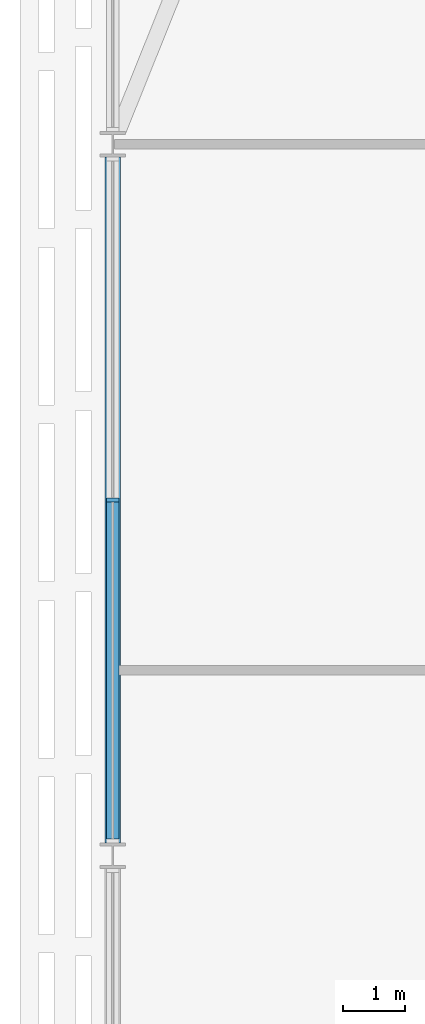
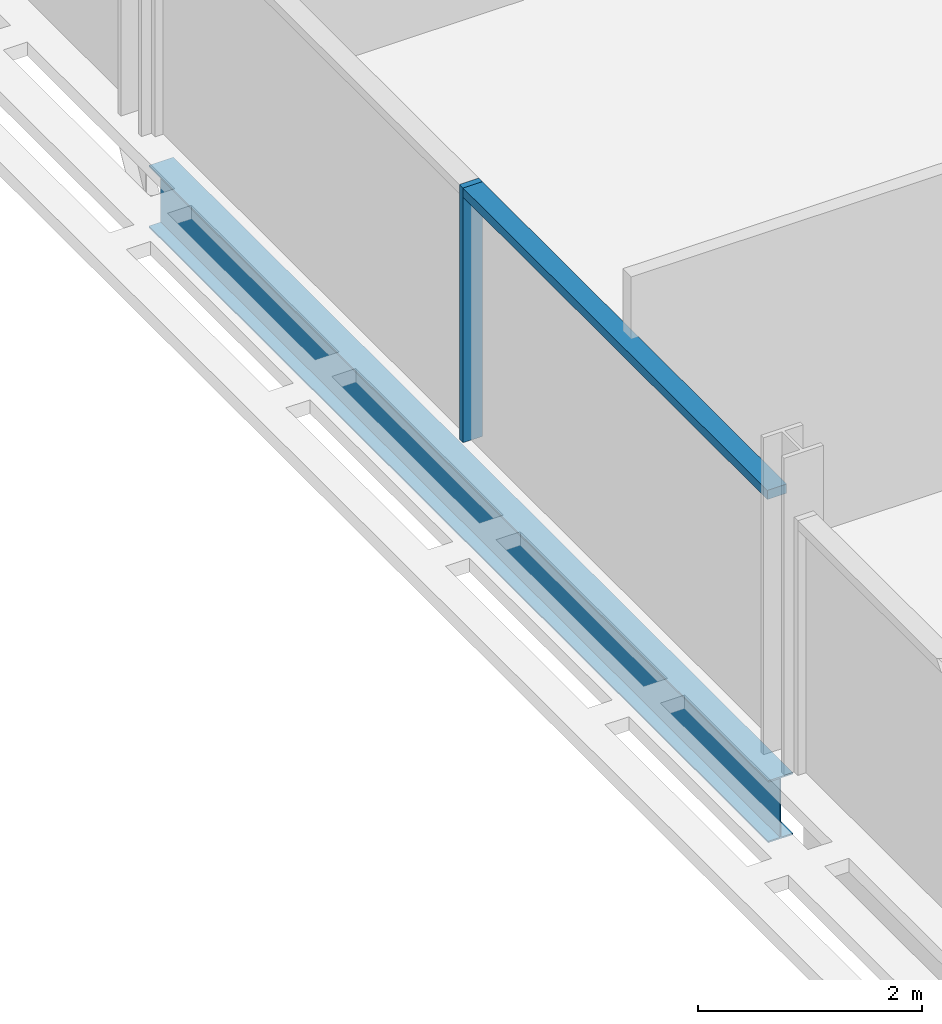
# One storey, part 4 of 27: 2 members, 1 beam, 1 element without a shape of its own.
"""IFC4 building model written with IfcOpenShell, lengths in metres."""

from ifc_helpers import new_model, si_unit, direction, frame, origin, origin_2d, place, context, subcontext, project, spatial, rectangle, i_section, extrude, material, material_profile, profile_set, type_object, element, aggregate, save


model = new_model("IFC4")

# Units and contexts
model_context = context("Model", 3, precision=1e-05, world=origin(), true_north=direction((0.0, 1.0)))
body_context = subcontext(model_context, "Body", "Model", "MODEL_VIEW")
ifc_project = project(units=[si_unit("LENGTHUNIT", "METRE"), si_unit("AREAUNIT", "SQUARE_METRE"), si_unit("VOLUMEUNIT", "CUBIC_METRE"), si_unit("PLANEANGLEUNIT", "RADIAN"), si_unit("MASSUNIT", "GRAM", prefix="KILO")], contexts=[model_context])

# Site, building, storey
site_placement = place(None, origin())
site = spatial("IfcSite", under=ifc_project, at=site_placement, CompositionType="ELEMENT")
building_placement = place(site_placement, origin())
building = spatial("IfcBuilding", under=site, at=building_placement, Name="Mahtab Terrace Research Tower", CompositionType="ELEMENT")
storey_placement = place(building_placement, frame((0.0, 0.0, 163.0)))
storey = spatial("IfcBuildingStorey", under=building, at=storey_placement, Name="L38", CompositionType="ELEMENT", Elevation=163.0)

# Curtain wall, members
ifc_material_1 = material(Name="Laboratory ribbon curtain wall")
curtain_wall_type = type_object("IfcCurtainWallType", Name="Laboratory ribbon curtain wall", PredefinedType="NOTDEFINED", material=ifc_material_1)
curtain_wall_placement = place(storey_placement, origin())
curtain_wall = element("IfcCurtainWall", 1, at=curtain_wall_placement, inside=storey, type_object=curtain_wall_type, Name="EN.L38.8.16", PredefinedType="NOTDEFINED")
ifc_material_2 = material(Name="Natural anodised aluminium", Category="aluminium")
ifc_material_profile_1 = material_profile(ifc_material_2, rectangle(XDim=0.199951171875, YDim=0.06494140625, at=origin_2d()), Name="MULLION 65x200")
ifc_profile_set_1 = profile_set([ifc_material_profile_1], Name="Natural anodised aluminium")
member_type_1 = type_object("IfcMemberType", Name="Laboratory ribbon curtain wall mullion", PredefinedType="MULLION", material=ifc_profile_set_1)
member_1_placement = place(storey_placement, frame((-48.0, 5.75, 0.0), z_axis=(0.0, 0.0, 1.0), x_axis=(1.0, 0.0, 0.0)))
member_1 = element("IfcMember", 2, at=member_1_placement, type_object=member_type_1, Name="CWL-5 mullion 2", PredefinedType="MULLION", context=body_context, shape_type="SweptSolid", body=[
    extrude(rectangle(XDim=0.199951171875, YDim=0.06494140625, at=origin_2d()), origin(), (0.0, 0.0, 1.0), 2.78173828125),
])
ifc_material_profile_2 = material_profile(ifc_material_2, rectangle(XDim=0.199951171875, YDim=0.10009765625, at=origin_2d()), Name="TRANSOM 100x200")
ifc_profile_set_2 = profile_set([ifc_material_profile_2], Name="Natural anodised aluminium")
member_type_2 = type_object("IfcMemberType", Name="Laboratory ribbon curtain wall transom", PredefinedType="USERDEFINED", material=ifc_profile_set_2)
member_2_placement = place(storey_placement, frame((-48.0, 5.717529296875, 2.731689453125), z_axis=(0.0, -1.0, 0.0), x_axis=(1.0, 0.0, 0.0)))
member_2 = element("IfcMember", 3, at=member_2_placement, type_object=member_type_2, Name="CWL-5 transom 2", ObjectType="TRANSOM", PredefinedType="USERDEFINED", context=body_context, shape_type="SweptSolid", body=[
    extrude(rectangle(XDim=0.199951171875, YDim=0.10009765625, at=origin_2d()), origin(), (0.0, 0.0, 1.0), 5.444580078125),
])
aggregate(curtain_wall, [member_1, member_2])

# Beam
ifc_material_3 = material(Name="Steel ASTM A992 Gr 50", Category="steel")
ifc_material_profile_3 = material_profile(ifc_material_3, i_section(OverallWidth=0.25390625, OverallDepth=0.67822265625, WebThickness=0.01171875, FlangeThickness=0.016357421875, at=origin_2d()), Name="W27X84")
ifc_profile_set_3 = profile_set([ifc_material_profile_3], Name="Steel ASTM A992 Gr 50")
beam_type = type_object("IfcBeamType", Name="W27x84 beam BS2784", PredefinedType="BEAM", material=ifc_profile_set_3)
beam_placement = place(storey_placement, frame((-48.0, 11.291748046875, -0.67919921875), z_axis=(0.0, -1.0, 0.0), x_axis=(1.0, 0.0, 0.0)))
element("IfcBeam", 4, at=beam_placement, inside=storey, type_object=beam_type, Name="Spandrel beam L38 09", PredefinedType="BEAM", context=body_context, shape_type="SweptSolid", body=[
    extrude(i_section(OverallWidth=0.25390625, OverallDepth=0.67822265625, WebThickness=0.01171875, FlangeThickness=0.016357421875, at=origin_2d()), origin(), (0.0, 0.0, 1.0), 11.08349609375),
])

save(model, "model.ifc")
